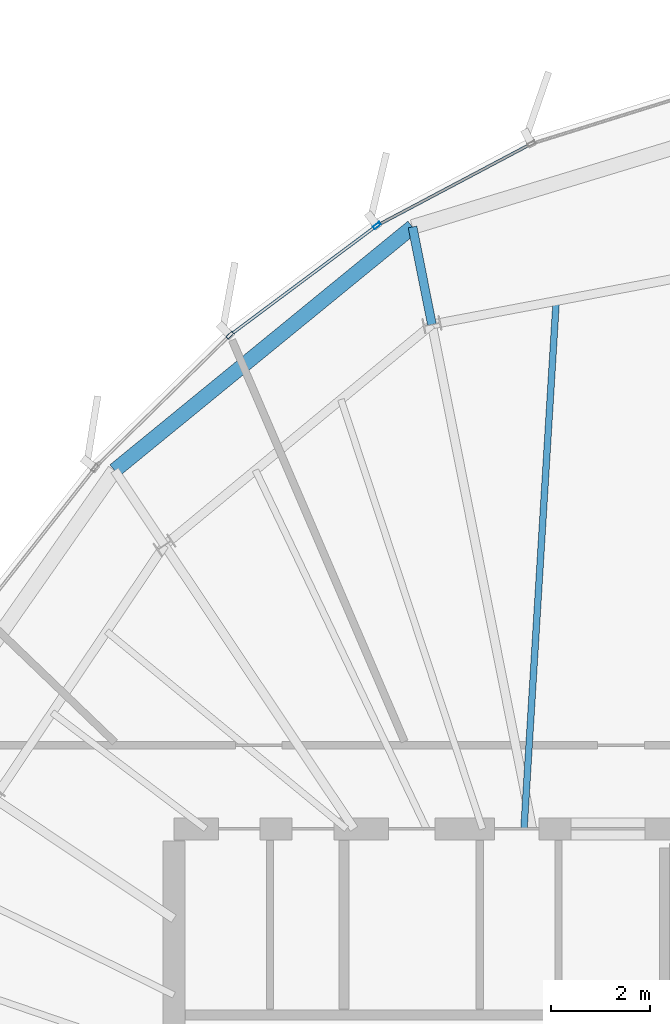
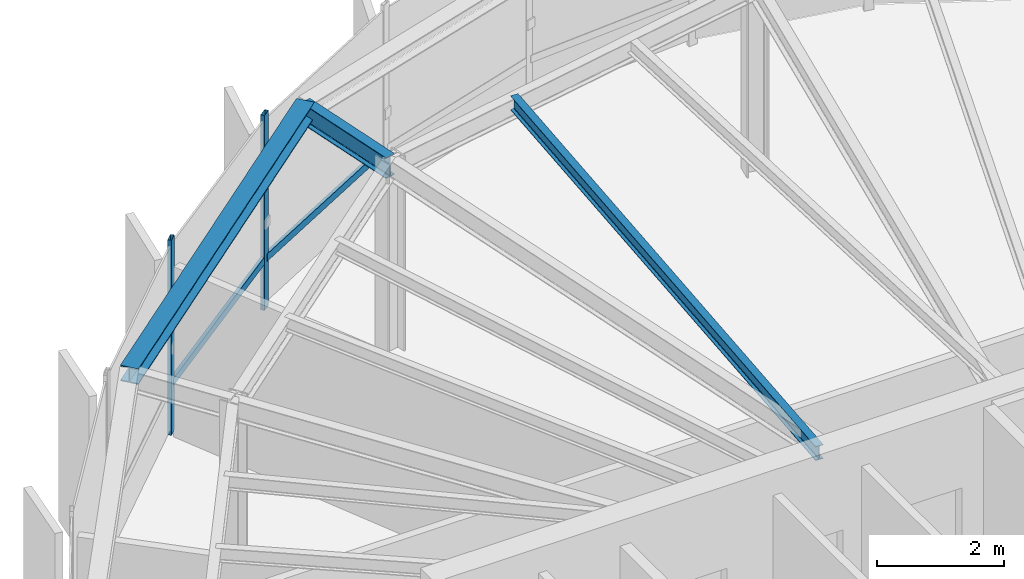
# One storey, part 15 of 26: 4 members, 3 beams, 1 element without a shape of its own.
"""IFC4 building model written with IfcOpenShell, lengths in metres."""

from ifc_helpers import new_model, si_unit, direction, frame, origin, origin_2d, place, context, subcontext, project, spatial, hollow_rectangle, i_section, extrude, source, transform, mapped, material, layer, layer_set, material_profile, profile_set, type_object, element, aggregate, save


model = new_model("IFC4")

# Units and contexts
model_context = context("Model", 3, precision=1e-05, world=origin(), true_north=direction((0.0, 1.0)))
body_context = subcontext(model_context, "Body", "Model", "MODEL_VIEW")
ifc_project = project(units=[si_unit("LENGTHUNIT", "METRE"), si_unit("AREAUNIT", "SQUARE_METRE"), si_unit("VOLUMEUNIT", "CUBIC_METRE"), si_unit("PLANEANGLEUNIT", "RADIAN"), si_unit("MASSUNIT", "GRAM", prefix="KILO"), si_unit("THERMODYNAMICTEMPERATUREUNIT", "KELVIN")], contexts=[model_context])

# Site, building, storey
site_placement = place(None, origin())
site = spatial("IfcSite", under=ifc_project, at=site_placement, CompositionType="ELEMENT")
building_placement = place(site_placement, origin())
building = spatial("IfcBuilding", under=site, at=building_placement, Name="Kethvar Cultural Tower", CompositionType="ELEMENT")
storey_placement = place(building_placement, frame((0.0, 0.0, 320.300048828125)))
storey = spatial("IfcBuildingStorey", under=building, at=storey_placement, Name="L85", CompositionType="ELEMENT", Elevation=320.300048828125)

# Beams
ifc_material_1 = material(Name="Steel S355J2", Category="steel")
ifc_material_profile_1 = material_profile(ifc_material_1, i_section(OverallWidth=0.135009765625, OverallDepth=0.27001953125, WebThickness=0.006591796875, FlangeThickness=0.01025390625, FilletRadius=0.014892578125, at=origin_2d()), Name="Steel S355J2 — IPE270")
ifc_profile_set_1 = profile_set([ifc_material_profile_1], Name="Steel S355J2 — IPE270")
beam_type_1 = type_object("IfcBeamType", Name="BM-J270", PredefinedType="JOIST", material=ifc_profile_set_1)
shared_shape_1 = source(origin(), body_context, "Body", "SweptSolid", [
    extrude(i_section(OverallWidth=0.135009765625, OverallDepth=0.27001953125, WebThickness=0.006591796875, FlangeThickness=0.01025390625, FilletRadius=0.014892578125, at=origin_2d()), origin(), (0.0, 0.0, 1.0), 10.727783203125),
])
beam_1_placement = place(storey_placement, frame((45.10009765625, 35.5, 3.597900390625), z_axis=(0.060876395586, 0.998145312297, 0.0), x_axis=(-0.998145312297, 0.060876395586, 0.0)))
element("IfcBeam", 1, at=beam_1_placement, inside=storey, type_object=beam_type_1, Name="L85 Composite Floor Joist J-04B", PredefinedType="JOIST", context=body_context, shape_type="MappedRepresentation", body=[
    mapped(shared_shape_1, transform((0.0, 0.0, 0.0), scale=1.0)),
])
ifc_material_profile_2 = material_profile(ifc_material_1, i_section(OverallWidth=0.179931640625, OverallDepth=0.39990234375, WebThickness=0.008544921875, FlangeThickness=0.013427734375, FilletRadius=0.02099609375, at=origin_2d()), Name="Steel S355J2 — IPE400")
ifc_profile_set_2 = profile_set([ifc_material_profile_2], Name="Steel S355J2 — IPE400")
beam_type_2 = type_object("IfcBeamType", Name="BM-IPE400", PredefinedType="BEAM", material=ifc_profile_set_2)
shared_shape_2 = source(origin(), body_context, "Body", "SweptSolid", [
    extrude(i_section(OverallWidth=0.179931640625, OverallDepth=0.39990234375, WebThickness=0.008544921875, FlangeThickness=0.013427734375, FilletRadius=0.02099609375, at=origin_2d()), origin(), (0.0, 0.0, 1.0), 2.015869140625),
])
beam_2_placement = place(storey_placement, frame((43.23291015625, 45.732421875, 3.532958984375), z_axis=(-0.195114513951, 0.980780468018, 0.0), x_axis=(-0.980780468018, -0.195114513951, 0.0)))
element("IfcBeam", 2, at=beam_2_placement, inside=storey, type_object=beam_type_2, Name="L85 Perimeter Cantilever Beam RC-05", PredefinedType="BEAM", context=body_context, shape_type="MappedRepresentation", body=[
    mapped(shared_shape_2, transform((0.0, 0.0, 0.0), scale=1.0)),
])
ifc_material_profile_3 = material_profile(ifc_material_1, i_section(OverallWidth=0.300048828125, OverallDepth=0.300048828125, WebThickness=0.010986328125, FlangeThickness=0.01904296875, FilletRadius=0.027099609375, at=origin_2d()), Name="Steel S355J2 — HEB300")
ifc_profile_set_3 = profile_set([ifc_material_profile_3], Name="Steel S355J2 — HEB300")
beam_type_3 = type_object("IfcBeamType", Name="BM-SP300", PredefinedType="SPANDREL", material=ifc_profile_set_3)
shared_shape_3 = source(origin(), body_context, "Body", "SweptSolid", [
    extrude(i_section(OverallWidth=0.300048828125, OverallDepth=0.300048828125, WebThickness=0.010986328125, FlangeThickness=0.01904296875, FilletRadius=0.027099609375, at=origin_2d()), origin(), (0.0, 0.0, 1.0), 7.80419921875),
])
beam_3_placement = place(storey_placement, frame((42.839599609375, 47.70947265625, 3.5830078125), z_axis=(-0.774220659088, -0.63291576931, 0.0), x_axis=(0.63291576931, -0.774220659088, 0.0)))
element("IfcBeam", 3, at=beam_3_placement, inside=storey, type_object=beam_type_3, Name="L85 Perimeter Spandrel Beam SP-05", PredefinedType="SPANDREL", context=body_context, shape_type="MappedRepresentation", body=[
    mapped(shared_shape_3, transform((0.0, 0.0, 0.0), scale=1.0)),
])

# Curtain wall, members
ifc_material_2 = material(Name="Aluminium 6063-T6", Category="aluminium")
ifc_layer = layer(ifc_material_2, 0.179931640625, Name="Aluminium 6063-T6", Category="aluminium")
ifc_layer_set = layer_set([ifc_layer], Name="Aluminium 6063-T6 (180 mm)")
curtain_wall_type = type_object("IfcCurtainWallType", Name="CW-SYS-06-CROWN", PredefinedType="NOTDEFINED", material=ifc_layer_set)
curtain_wall_placement = place(storey_placement, origin())
curtain_wall = element("IfcCurtainWall", 4, at=curtain_wall_placement, inside=storey, type_object=curtain_wall_type, Name="L85 Curtain Wall Run 01", PredefinedType="NOTDEFINED")
ifc_material_profile_4 = material_profile(ifc_material_2, hollow_rectangle(XDim=0.06494140625, YDim=0.159912109375, WallThickness=0.0048828125, at=origin_2d()), Name="Aluminium 6063-T6 — RHS160x65x5")
ifc_profile_set_4 = profile_set([ifc_material_profile_4], Name="Aluminium 6063-T6 — RHS160x65x5")
member_type_1 = type_object("IfcMemberType", Name="CW-SYS-06-CROWN-MUL", PredefinedType="MULLION", material=ifc_profile_set_4)
shared_shape_4 = source(origin(), body_context, "Body", "SweptSolid", [
    extrude(hollow_rectangle(XDim=0.06494140625, YDim=0.159912109375, WallThickness=0.0048828125, at=origin_2d()), origin(), (0.0, 0.0, 1.0), 3.73486328125),
])
member_1_placement = place(storey_placement, frame((42.115966796875, 47.737548828125, 0.0), z_axis=(0.0, 0.0, 1.0), x_axis=(0.59807284974, -0.801441742365, 0.0)))
member_1 = element("IfcMember", 5, at=member_1_placement, type_object=member_type_1, Name="CW-L85-R01 Mullion 5", PredefinedType="MULLION", context=body_context, shape_type="MappedRepresentation", body=[
    mapped(shared_shape_4, transform((0.0, 0.0, 0.0), scale=1.0)),
])
member_2_placement = place(storey_placement, frame((39.13671875, 45.515869140625, 0.0), z_axis=(0.0, 0.0, 1.0), x_axis=(0.700660250228, -0.713495069184, 0.0)))
member_2 = element("IfcMember", 6, at=member_2_placement, type_object=member_type_1, Name="CW-L85-R01 Mullion 6", PredefinedType="MULLION", context=body_context, shape_type="MappedRepresentation", body=[
    mapped(shared_shape_4, transform((0.0, 0.0, 0.0), scale=1.0)),
])
ifc_material_profile_5 = material_profile(ifc_material_2, hollow_rectangle(XDim=0.06005859375, YDim=0.139892578125, WallThickness=0.0048828125, at=origin_2d()), Name="Aluminium 6063-T6 — RHS140x60x5")
ifc_profile_set_5 = profile_set([ifc_material_profile_5], Name="Aluminium 6063-T6 — RHS140x60x5")
member_type_2 = type_object("IfcMemberType", Name="CW-SYS-06-CROWN-TRN", PredefinedType="USERDEFINED", material=ifc_profile_set_5)
shared_shape_5 = source(origin(), body_context, "Body", "SweptSolid", [
    extrude(hollow_rectangle(XDim=0.06005859375, YDim=0.139892578125, WallThickness=0.0048828125, at=origin_2d()), origin(), (0.0, 0.0, 1.0), 3.4736328125),
])
member_3_placement = place(storey_placement, frame((45.2109375, 49.376220703125, 0.949951171875), z_axis=(-0.883606632095, -0.468229985923, 0.0), x_axis=(0.468229985923, -0.883606632095, 0.0)))
member_3 = element("IfcMember", 7, at=member_3_placement, type_object=member_type_2, Name="CW-L85-R01 Transom 4", ObjectType="TRANSOM", PredefinedType="USERDEFINED", context=body_context, shape_type="MappedRepresentation", body=[
    mapped(shared_shape_5, transform((0.0, 0.0, 0.0), scale=1.0)),
])
shared_shape_6 = source(origin(), body_context, "Body", "SweptSolid", [
    extrude(hollow_rectangle(XDim=0.06005859375, YDim=0.139892578125, WallThickness=0.0048828125, at=origin_2d()), origin(), (0.0, 0.0, 1.0), 3.63916015625),
])
member_4_placement = place(storey_placement, frame((42.078369140625, 47.709716796875, 0.949951171875), z_axis=(-0.801430713506, -0.598087628571, 0.0), x_axis=(0.598087628571, -0.801430713506, 0.0)))
member_4 = element("IfcMember", 8, at=member_4_placement, type_object=member_type_2, Name="CW-L85-R01 Transom 5", ObjectType="TRANSOM", PredefinedType="USERDEFINED", context=body_context, shape_type="MappedRepresentation", body=[
    mapped(shared_shape_6, transform((0.0, 0.0, 0.0), scale=1.0)),
])
aggregate(curtain_wall, [member_1, member_2, member_3, member_4])

save(model, "model.ifc")
